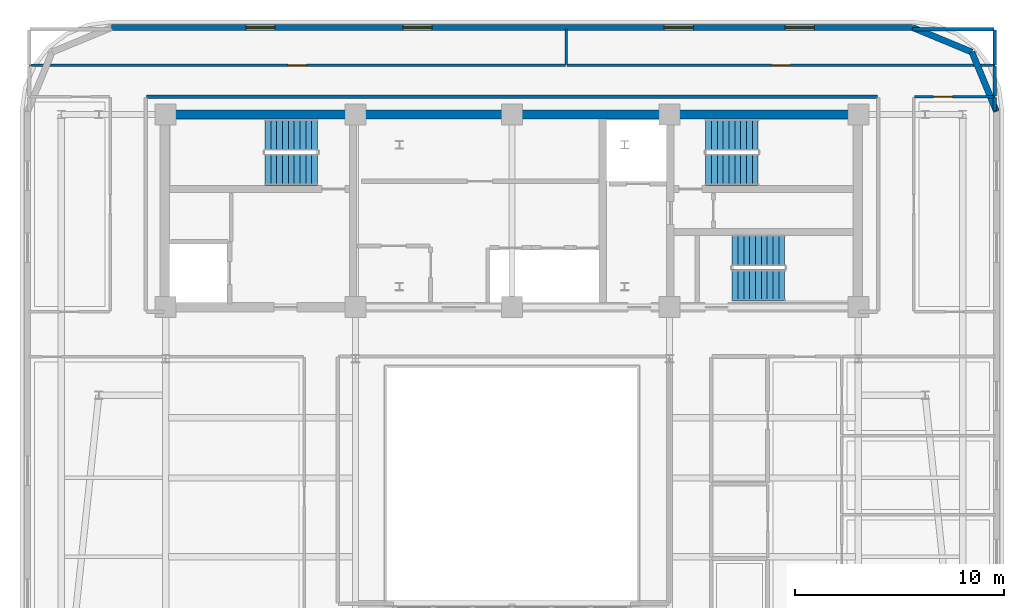
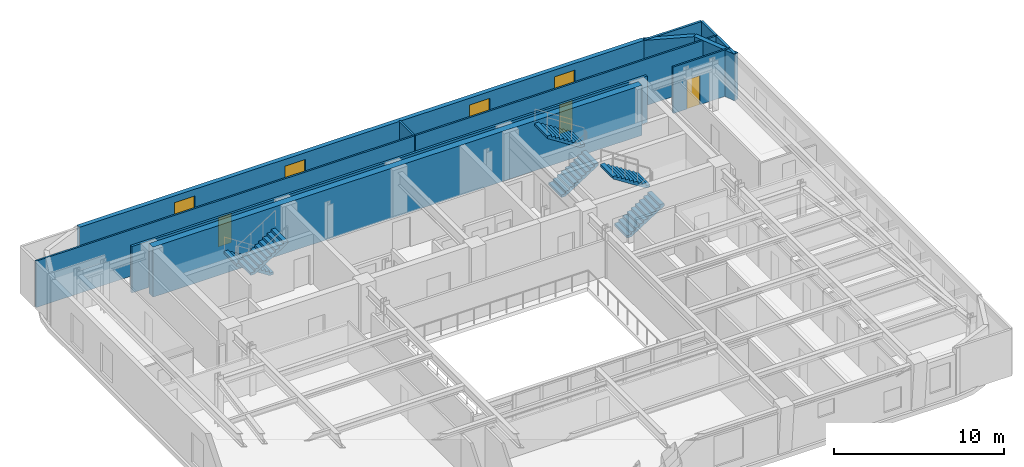
# One storey, part 9 of 13: 13 walls, 6 stair flights, 4 windows, 3 doors, 7 openings, 3 elements without a shape of their own.
"""IFC4 building model written with IfcOpenShell, lengths in metres."""

from ifc_helpers import new_model, si_unit, direction, frame, frame_2d, origin, place, context, subcontext, project, spatial, polyline, rectangle, outline, extrude, material, layer, layer_set, type_object, element, fill, aggregate, save


model = new_model("IFC4")

# Units and contexts
model_context = context("Model", 3, precision=1e-05, world=origin(), true_north=direction((0.0, 1.0)))
body_context = subcontext(model_context, "Body", "Model", "MODEL_VIEW")
ifc_project = project(units=[si_unit("LENGTHUNIT", "METRE"), si_unit("AREAUNIT", "SQUARE_METRE"), si_unit("VOLUMEUNIT", "CUBIC_METRE"), si_unit("PLANEANGLEUNIT", "RADIAN"), si_unit("MASSUNIT", "GRAM", prefix="KILO")], contexts=[model_context])

# Site, building, storey
site_placement = place(None, origin())
site = spatial("IfcSite", under=ifc_project, at=site_placement, CompositionType="ELEMENT")
building_placement = place(site_placement, origin())
building = spatial("IfcBuilding", under=site, at=building_placement, Name="Zarnavel Station Tower", CompositionType="ELEMENT")
storey_placement = place(building_placement, frame((0.0, 0.0, 236.39990234375)))
storey = spatial("IfcBuildingStorey", under=building, at=storey_placement, Name="L64", CompositionType="ELEMENT", Elevation=236.39990234375)

# Walls
ifc_material_1 = material(Name="Concrete C50/60", Category="concrete")
ifc_layer_1 = layer(ifc_material_1, 0.449951171875)
ifc_layer_set_1 = layer_set([ifc_layer_1], Name="CW_450")
wall_type_1 = type_object("IfcWallType", Name="CW_450", PredefinedType="SHEAR", material=ifc_layer_set_1)
wall_1_placement = place(storey_placement, frame((12.14990234375, 37.050048828125, 0.0), z_axis=(0.0, 0.0, 1.0), x_axis=(1.0, 0.0, 0.0)))
element("IfcWall", 1, at=wall_1_placement, inside=storey, type_object=wall_type_1, Name="L64 Rear Core Shear Wall N", PredefinedType="SHEAR", context=body_context, shape_type="SweptSolid", body=[
    extrude(rectangle(XDim=33.22998046875, YDim=0.449951171875, at=frame_2d((16.614990234375, 0.0))), origin(), (0.0, 0.0, 1.0), 3.60009765625),
])
ifc_material_2 = material(Name="Precast concrete C45/55 (Dark Basalt Finish)", Category="masonry")
ifc_layer_2 = layer(ifc_material_2, 0.300048828125)
ifc_layer_set_2 = layer_set([ifc_layer_2], Name="EW_BASALT_300")
wall_type_2 = type_object("IfcWallType", Name="EW_BASALT_300", PredefinedType="SOLIDWALL", material=ifc_layer_set_2)
for number, where, z_axis, x_axis, name in (
    (2, (50.842529296875, 40.04248046875, 0.0), (0.0, 0.0, 1.0), (0.382704529509, -0.923870793506, 0.0), "L64 Exterior Basalt Masonry Frame Wall 04"),
    (3, (48.0, 41.219970703125, 0.0), (0.0, 0.0, 1.0), (0.923870793506, -0.382704529509, 0.0), "L64 Exterior Basalt Masonry Frame Wall 05"),
):
    element("IfcWall", number, at=place(storey_placement, frame(where, z_axis=z_axis, x_axis=x_axis)), inside=storey, type_object=wall_type_2, Name=name, PredefinedType="SOLIDWALL", context=body_context, shape_type="SweptSolid", body=[
        extrude(rectangle(XDim=3.07666015625, YDim=0.300048828125, at=frame_2d((1.538330078125, 0.0))), origin(), (0.0, 0.0, 1.0), 3.340087890625),
    ])

# Wall, openings, windows
wall_2_placement = place(storey_placement, frame((9.60009765625, 41.219970703125, 0.0), z_axis=(0.0, 0.0, 1.0), x_axis=(1.0, 0.0, 0.0)))
wall_2 = element("IfcWall", 4, at=wall_2_placement, inside=storey, type_object=wall_type_2, Name="L64 Exterior Basalt Masonry Frame Wall 06", PredefinedType="SOLIDWALL", context=body_context, shape_type="SweptSolid", body=[
    extrude(rectangle(XDim=38.39990234375, YDim=0.300048828125, at=frame_2d((19.199951171875, 0.0))), origin(), (0.0, 0.0, 1.0), 3.340087890625),
])
opening_1_placement = place(wall_2_placement, frame((6.44677734375, 0.0, 0.75)))
opening_1 = element("IfcOpeningElement", 5, at=opening_1_placement, cuts=wall_2, Name="Opening WN04", PredefinedType="OPENING", context=body_context, shape_type="SweptSolid", body=[
    extrude(rectangle(XDim=1.39990234375, YDim=2.10009765625, at=frame_2d((0.699951171875, 1.050048828125))), frame((0.0, 0.159912109375, 0.0), z_axis=(0.0, -1.0, 0.0), x_axis=(1.0, 0.0, 0.0)), (0.0, 0.0, 1.0), 0.320068359375),
])
opening_2_placement = place(wall_2_placement, frame((13.973388671875, 0.0, 0.75)))
opening_2 = element("IfcOpeningElement", 6, at=opening_2_placement, cuts=wall_2, Name="Opening WN04", PredefinedType="OPENING", context=body_context, shape_type="SweptSolid", body=[
    extrude(rectangle(XDim=1.39990234375, YDim=2.10009765625, at=frame_2d((0.699951171875, 1.050048828125))), frame((0.0, 0.159912109375, 0.0), z_axis=(0.0, -1.0, 0.0), x_axis=(1.0, 0.0, 0.0)), (0.0, 0.0, 1.0), 0.320068359375),
])
opening_3_placement = place(wall_2_placement, frame((26.493408203125, 0.0, 0.75)))
opening_3 = element("IfcOpeningElement", 7, at=opening_3_placement, cuts=wall_2, Name="Opening WN04", PredefinedType="OPENING", context=body_context, shape_type="SweptSolid", body=[
    extrude(rectangle(XDim=1.39990234375, YDim=2.10009765625, at=frame_2d((0.699951171875, 1.050048828125))), frame((0.0, 0.159912109375, 0.0), z_axis=(0.0, -1.0, 0.0), x_axis=(1.0, 0.0, 0.0)), (0.0, 0.0, 1.0), 0.320068359375),
])
opening_4_placement = place(wall_2_placement, frame((32.28662109375, 0.0, 0.75)))
opening_4 = element("IfcOpeningElement", 8, at=opening_4_placement, cuts=wall_2, Name="Opening WN04", PredefinedType="OPENING", context=body_context, shape_type="SweptSolid", body=[
    extrude(rectangle(XDim=1.39990234375, YDim=2.10009765625, at=frame_2d((0.699951171875, 1.050048828125))), frame((0.0, 0.159912109375, 0.0), z_axis=(0.0, -1.0, 0.0), x_axis=(1.0, 0.0, 0.0)), (0.0, 0.0, 1.0), 0.320068359375),
])
ifc_material_3 = material(Name="Thermally Broken Black Aluminium and Low-E Dark Glass", Category="aluminium")
window_type = type_object("IfcWindowType", Name="WN_1400x2100", PartitioningType="DOUBLE_PANEL_VERTICAL", PredefinedType="WINDOW", material=ifc_material_3)
window_1_placement = place(opening_1_placement, origin())
window_1 = element("IfcWindow", 9, at=window_1_placement, inside=storey, type_object=window_type, Name="L64 Recessed Facade Window 01", OverallHeight=2.10009765625, OverallWidth=1.39990234375, PartitioningType="SINGLE_PANEL", PredefinedType="WINDOW", context=body_context, shape_type="SweptSolid", body=[
    extrude(rectangle(XDim=1.39990234375, YDim=2.10009765625, at=frame_2d((0.699951171875, 1.050048828125))), frame((0.0, 0.030029296875, 0.0), z_axis=(0.0, -1.0, 0.0), x_axis=(1.0, 0.0, 0.0)), (0.0, 0.0, 1.0), 0.06005859375),
])
fill(opening_1, window_1)
window_2_placement = place(opening_2_placement, origin())
window_2 = element("IfcWindow", 10, at=window_2_placement, inside=storey, type_object=window_type, Name="L64 Recessed Facade Window 02", OverallHeight=2.10009765625, OverallWidth=1.39990234375, PartitioningType="SINGLE_PANEL", PredefinedType="WINDOW", context=body_context, shape_type="SweptSolid", body=[
    extrude(rectangle(XDim=1.39990234375, YDim=2.10009765625, at=frame_2d((0.699951171875, 1.050048828125))), frame((0.0, 0.030029296875, 0.0), z_axis=(0.0, -1.0, 0.0), x_axis=(1.0, 0.0, 0.0)), (0.0, 0.0, 1.0), 0.06005859375),
])
fill(opening_2, window_2)
window_3_placement = place(opening_3_placement, origin())
window_3 = element("IfcWindow", 11, at=window_3_placement, inside=storey, type_object=window_type, Name="L64 Recessed Facade Window 03", OverallHeight=2.10009765625, OverallWidth=1.39990234375, PartitioningType="SINGLE_PANEL", PredefinedType="WINDOW", context=body_context, shape_type="SweptSolid", body=[
    extrude(rectangle(XDim=1.39990234375, YDim=2.10009765625, at=frame_2d((0.699951171875, 1.050048828125))), frame((0.0, 0.030029296875, 0.0), z_axis=(0.0, -1.0, 0.0), x_axis=(1.0, 0.0, 0.0)), (0.0, 0.0, 1.0), 0.06005859375),
])
fill(opening_3, window_3)
window_4_placement = place(opening_4_placement, origin())
window_4 = element("IfcWindow", 12, at=window_4_placement, inside=storey, type_object=window_type, Name="L64 Recessed Facade Window 04", OverallHeight=2.10009765625, OverallWidth=1.39990234375, PartitioningType="SINGLE_PANEL", PredefinedType="WINDOW", context=body_context, shape_type="SweptSolid", body=[
    extrude(rectangle(XDim=1.39990234375, YDim=2.10009765625, at=frame_2d((0.699951171875, 1.050048828125))), frame((0.0, 0.030029296875, 0.0), z_axis=(0.0, -1.0, 0.0), x_axis=(1.0, 0.0, 0.0)), (0.0, 0.0, 1.0), 0.06005859375),
])
fill(opening_4, window_4)

# Walls
ifc_material_4 = material(Name="Gypsum Twin-Stud Acoustic Fire Partition", Category="concrete")
ifc_layer_3 = layer(ifc_material_4, 0.159912109375)
ifc_layer_set_3 = layer_set([ifc_layer_3], Name="PT_DEMISE_160")
wall_type_3 = type_object("IfcWallType", Name="PT_DEMISE_160", PredefinedType="PARTITIONING", material=ifc_layer_set_3)
wall_3_placement = place(storey_placement, frame((11.280029296875, 37.89990234375, 0.0), z_axis=(0.0, 0.0, 1.0), x_axis=(1.0, 0.0, 0.0)))
element("IfcWall", 13, at=wall_3_placement, inside=storey, type_object=wall_type_3, Name="L64 Enclosure Wall COR-N", PredefinedType="PARTITIONING", context=body_context, shape_type="SweptSolid", body=[
    extrude(rectangle(XDim=35.0400390625, YDim=0.159912109375, at=frame_2d((17.52001953125, 0.0))), origin(), (0.0, 0.0, 1.0), 3.340087890625),
])
wall_4_placement = place(storey_placement, frame((51.93994140625, 37.929931640625, 0.0), z_axis=(0.0, 0.0, 1.0), x_axis=(0.0, 1.0, 0.0)))
element("IfcWall", 14, at=wall_4_placement, inside=storey, type_object=wall_type_3, Name="L64 Enclosure Wall COR-N", PredefinedType="PARTITIONING", context=body_context, shape_type="SweptSolid", body=[
    extrude(rectangle(XDim=1.440185546875, YDim=0.159912109375, at=frame_2d((0.72021484375, 0.0))), origin(), (0.0, 0.0, 1.0), 3.340087890625),
])
wall_5_placement = place(storey_placement, frame((51.93994140625, 37.22998046875, 0.0), z_axis=(0.0, 0.0, 1.0), x_axis=(0.0, 1.0, 0.0)))
element("IfcWall", 15, at=wall_5_placement, inside=storey, type_object=wall_type_3, Name="L64 Enclosure Wall FNE", PredefinedType="PARTITIONING", context=body_context, shape_type="SweptSolid", body=[
    extrude(rectangle(XDim=0.64013671875, YDim=0.159912109375, at=frame_2d((0.320068359375, 0.0))), origin(), (0.0, 0.0, 1.0), 3.340087890625),
])
wall_6_placement = place(storey_placement, frame((48.030029296875, 41.139892578125, 0.0), z_axis=(0.0, 0.0, 1.0), x_axis=(1.0, 0.0, 0.0)))
element("IfcWall", 16, at=wall_6_placement, inside=storey, type_object=wall_type_3, Name="L64 Enclosure Wall NBRD", PredefinedType="PARTITIONING", context=body_context, shape_type="SweptSolid", body=[
    extrude(rectangle(XDim=3.8798828125, YDim=0.159912109375, at=frame_2d((1.93994140625, 0.0))), origin(), (0.0, 0.0, 1.0), 3.340087890625),
])
wall_7_placement = place(storey_placement, frame((51.93994140625, 39.429931640625, 0.0), z_axis=(0.0, 0.0, 1.0), x_axis=(0.0, 1.0, 0.0)))
element("IfcWall", 17, at=wall_7_placement, inside=storey, type_object=wall_type_3, Name="L64 Enclosure Wall NBRD", PredefinedType="PARTITIONING", context=body_context, shape_type="SweptSolid", body=[
    extrude(rectangle(XDim=1.68017578125, YDim=0.159912109375, at=frame_2d((0.840087890625, 0.0))), origin(), (0.0, 0.0, 1.0), 3.340087890625),
])

# Wall, opening, door
ifc_material_5 = material(Name="Gypsum Metal-Stud Interior Partition", Category="concrete")
ifc_layer_4 = layer(ifc_material_5, 0.1201171875)
ifc_layer_set_4 = layer_set([ifc_layer_4], Name="PT_ROOM_120")
wall_type_4 = type_object("IfcWallType", Name="PT_ROOM_120", PredefinedType="PARTITIONING", material=ifc_layer_set_4)
wall_8_placement = place(storey_placement, frame((48.090087890625, 37.89990234375, 0.0), z_axis=(0.0, 0.0, 1.0), x_axis=(1.0, 0.0, 0.0)))
wall_8 = element("IfcWall", 18, at=wall_8_placement, inside=storey, type_object=wall_type_4, Name="L64 Partition COR-N-FNE", PredefinedType="PARTITIONING", context=body_context, shape_type="SweptSolid", body=[
    extrude(rectangle(XDim=3.849853515625, YDim=0.1201171875, at=frame_2d((1.9248046875, 0.0))), origin(), (0.0, 0.0, 1.0), 3.340087890625),
])
opening_5_placement = place(wall_8_placement, frame((0.918701171875, 0.0, 0.0)))
opening_5 = element("IfcOpeningElement", 19, at=opening_5_placement, cuts=wall_8, Name="Opening ID01", PredefinedType="OPENING", context=body_context, shape_type="SweptSolid", body=[
    extrude(rectangle(XDim=0.89990234375, YDim=2.10009765625, at=frame_2d((0.449951171875, 1.050048828125))), frame((0.0, 0.070068359375, 0.0), z_axis=(0.0, -1.0, 0.0), x_axis=(1.0, 0.0, 0.0)), (0.0, 0.0, 1.0), 0.14013671875),
])
ifc_material_6 = material(Name="Painted Galvanised Steel and Hardwood Leaf", Category="steel")
door_type = type_object("IfcDoorType", Name="ID_ROOM_900", OperationType="NOTDEFINED", PredefinedType="DOOR", material=ifc_material_6)
door_1_placement = place(opening_5_placement, origin())
door_1 = element("IfcDoor", 20, at=door_1_placement, inside=storey, type_object=door_type, Name="L64 Door COR-N-FNE", OperationType="SINGLE_SWING_LEFT", OverallHeight=2.10009765625, OverallWidth=0.89990234375, PredefinedType="DOOR", context=body_context, shape_type="SweptSolid", body=[
    extrude(rectangle(XDim=0.89990234375, YDim=2.10009765625, at=frame_2d((0.449951171875, 1.050048828125))), frame((0.0, 0.02490234375, 0.0), z_axis=(0.0, -1.0, 0.0), x_axis=(1.0, 0.0, 0.0)), (0.0, 0.0, 1.0), 0.050048828125),
])
fill(opening_5, door_1)

wall_9_placement = place(storey_placement, frame((5.659912109375, 39.39990234375, 0.0), z_axis=(0.0, 0.0, 1.0), x_axis=(1.0, 0.0, 0.0)))
wall_9 = element("IfcWall", 21, at=wall_9_placement, inside=storey, type_object=wall_type_4, Name="L64 Partition COR-N-NGYM", PredefinedType="PARTITIONING", context=body_context, shape_type="SweptSolid", body=[
    extrude(rectangle(XDim=25.7001953125, YDim=0.1201171875, at=frame_2d((12.85009765625, 0.0))), origin(), (0.0, 0.0, 1.0), 3.340087890625),
])
opening_6_placement = place(wall_9_placement, frame((12.39990234375, 0.0, 0.0)))
opening_6 = element("IfcOpeningElement", 22, at=opening_6_placement, cuts=wall_9, Name="Opening ID01", PredefinedType="OPENING", context=body_context, shape_type="SweptSolid", body=[
    extrude(rectangle(XDim=0.89990234375, YDim=2.10009765625, at=frame_2d((0.449951171875, 1.050048828125))), frame((0.0, 0.070068359375, 0.0), z_axis=(0.0, -1.0, 0.0), x_axis=(1.0, 0.0, 0.0)), (0.0, 0.0, 1.0), 0.14013671875),
])
door_2_placement = place(opening_6_placement, origin())
door_2 = element("IfcDoor", 23, at=door_2_placement, inside=storey, type_object=door_type, Name="L64 Door COR-N-NGYM", OperationType="SINGLE_SWING_RIGHT", OverallHeight=2.10009765625, OverallWidth=0.89990234375, PredefinedType="DOOR", context=body_context, shape_type="SweptSolid", body=[
    extrude(rectangle(XDim=0.89990234375, YDim=2.10009765625, at=frame_2d((0.449951171875, 1.050048828125))), frame((0.0, 0.02490234375, 0.0), z_axis=(0.0, -1.0, 0.0), x_axis=(1.0, 0.0, 0.0)), (0.0, 0.0, 1.0), 0.050048828125),
])
fill(opening_6, door_2)

wall_10_placement = place(storey_placement, frame((31.43994140625, 39.39990234375, 0.0), z_axis=(0.0, 0.0, 1.0), x_axis=(1.0, 0.0, 0.0)))
wall_10 = element("IfcWall", 24, at=wall_10_placement, inside=storey, type_object=wall_type_4, Name="L64 Partition COR-N-NBRD", PredefinedType="PARTITIONING", context=body_context, shape_type="SweptSolid", body=[
    extrude(rectangle(XDim=20.5, YDim=0.1201171875, at=frame_2d((10.25, 0.0))), origin(), (0.0, 0.0, 1.0), 3.340087890625),
])
opening_7_placement = place(wall_10_placement, frame((9.800048828125, 0.0, 0.0)))
opening_7 = element("IfcOpeningElement", 25, at=opening_7_placement, cuts=wall_10, Name="Opening ID01", PredefinedType="OPENING", context=body_context, shape_type="SweptSolid", body=[
    extrude(rectangle(XDim=0.89990234375, YDim=2.10009765625, at=frame_2d((0.449951171875, 1.050048828125))), frame((0.0, 0.070068359375, 0.0), z_axis=(0.0, -1.0, 0.0), x_axis=(1.0, 0.0, 0.0)), (0.0, 0.0, 1.0), 0.14013671875),
])
door_3_placement = place(opening_7_placement, origin())
door_3 = element("IfcDoor", 26, at=door_3_placement, inside=storey, type_object=door_type, Name="L64 Door COR-N-NBRD", OperationType="SINGLE_SWING_LEFT", OverallHeight=2.10009765625, OverallWidth=0.89990234375, PredefinedType="DOOR", context=body_context, shape_type="SweptSolid", body=[
    extrude(rectangle(XDim=0.89990234375, YDim=2.10009765625, at=frame_2d((0.449951171875, 1.050048828125))), frame((0.0, 0.02490234375, 0.0), z_axis=(0.0, -1.0, 0.0), x_axis=(1.0, 0.0, 0.0)), (0.0, 0.0, 1.0), 0.050048828125),
])
fill(opening_7, door_3)

# Wall
wall_11_placement = place(storey_placement, frame((31.39990234375, 39.43994140625, 0.0), z_axis=(0.0, 0.0, 1.0), x_axis=(0.0, 1.0, 0.0)))
element("IfcWall", 27, at=wall_11_placement, inside=storey, type_object=wall_type_4, Name="L64 Partition NGYM-NBRD", PredefinedType="PARTITIONING", context=body_context, shape_type="SweptSolid", body=[
    extrude(rectangle(XDim=1.699951171875, YDim=0.1201171875, at=frame_2d((0.85009765625, 0.0))), origin(), (0.0, 0.0, 1.0), 3.340087890625),
])

# Stair, stair flights
ifc_material_7 = material(Name="Concrete C45/55", Category="concrete")
stair_type = type_object("IfcStairType", Name="ST_CORE_150", PredefinedType="HALF_TURN_STAIR", material=ifc_material_7)
stair_1_placement = place(storey_placement, origin())
stair_1 = element("IfcStair", 28, at=stair_1_placement, inside=storey, type_object=stair_type, Name="L64 Core Exit Stair ST1", PredefinedType="HALF_TURN_STAIR")
ifc_material_8 = material(Name="Concrete C45/55", Category="concrete")
ifc_layer_5 = layer(ifc_material_8, 0.179931640625)
ifc_layer_set_5 = layer_set([ifc_layer_5], Name="ST_CORE_150_FLT")
stair_flight_type = type_object("IfcStairFlightType", Name="ST_CORE_150_FLT", PredefinedType="STRAIGHT", material=ifc_layer_set_5)
stair_flight_1_placement = place(storey_placement, frame((19.47998046875, 36.070068359375, 0.0), z_axis=(0.0, 0.0, 1.0), x_axis=(-1.0, 0.0, 0.0)))
stair_flight_1 = element("IfcStairFlight", 29, at=stair_flight_1_placement, type_object=stair_flight_type, Name="ST1 flight 1", NumberOfRisers=10, NumberOfTreads=9, PredefinedType="STRAIGHT", RiserHeight=0.18, TreadLength=0.28, context=body_context, shape_type="SweptSolid", body=[
    extrude(outline(polyline([(0.0, 0.0), (0.0, 0.179931640625), (0.280029296875, 0.179931640625), (0.280029296875, 0.360107421875), (0.56005859375, 0.360107421875), (0.56005859375, 0.5400390625), (0.840087890625, 0.5400390625), (0.840087890625, 0.719970703125), (1.1201171875, 0.719970703125), (1.1201171875, 0.89990234375), (1.39990234375, 0.89990234375), (1.39990234375, 1.080078125), (1.679931640625, 1.080078125), (1.679931640625, 1.260009765625), (1.9599609375, 1.260009765625), (1.9599609375, 1.43994140625), (2.239990234375, 1.43994140625), (2.239990234375, 1.6201171875), (2.52001953125, 1.6201171875), (2.52001953125, 1.800048828125), (2.52001953125, 1.44189453125), (0.277099609375, 0.0), (0.0, 0.0)])), frame((0.0, 0.75, 0.0), z_axis=(0.0, -1.0, 0.0), x_axis=(1.0, 0.0, 0.0)), (0.0, 0.0, 1.0), 1.5),
])
stair_flight_2_placement = place(storey_placement, frame((16.9599609375, 34.409912109375, 1.800048828125), z_axis=(0.0, 0.0, 1.0), x_axis=(1.0, 0.0, 0.0)))
stair_flight_2 = element("IfcStairFlight", 30, at=stair_flight_2_placement, type_object=stair_flight_type, Name="ST1 flight 2", NumberOfRisers=10, NumberOfTreads=9, PredefinedType="STRAIGHT", RiserHeight=0.18, TreadLength=0.28, context=body_context, shape_type="SweptSolid", body=[
    extrude(outline(polyline([(0.0, 0.0), (0.0, 0.179931640625), (0.280029296875, 0.179931640625), (0.280029296875, 0.360107421875), (0.56005859375, 0.360107421875), (0.56005859375, 0.5400390625), (0.840087890625, 0.5400390625), (0.840087890625, 0.719970703125), (1.1201171875, 0.719970703125), (1.1201171875, 0.89990234375), (1.39990234375, 0.89990234375), (1.39990234375, 1.080078125), (1.679931640625, 1.080078125), (1.679931640625, 1.260009765625), (1.9599609375, 1.260009765625), (1.9599609375, 1.43994140625), (2.239990234375, 1.43994140625), (2.239990234375, 1.6201171875), (2.52001953125, 1.6201171875), (2.52001953125, 1.800048828125), (2.52001953125, 1.44189453125), (0.277099609375, 0.0), (0.0, 0.0)])), frame((0.0, 0.75, 0.0), z_axis=(0.0, -1.0, 0.0), x_axis=(1.0, 0.0, 0.0)), (0.0, 0.0, 1.0), 1.5),
])
aggregate(stair_1, [stair_flight_1, stair_flight_2])

stair_2_placement = place(storey_placement, origin())
stair_2 = element("IfcStair", 31, at=stair_2_placement, inside=storey, type_object=stair_type, Name="L64 Core Exit Stair ST2", PredefinedType="HALF_TURN_STAIR")
stair_flight_3_placement = place(storey_placement, frame((38.080078125, 34.409912109375, 0.0), z_axis=(0.0, 0.0, 1.0), x_axis=(1.0, 0.0, 0.0)))
stair_flight_3 = element("IfcStairFlight", 32, at=stair_flight_3_placement, type_object=stair_flight_type, Name="ST2 flight 1", NumberOfRisers=10, NumberOfTreads=9, PredefinedType="STRAIGHT", RiserHeight=0.18, TreadLength=0.28, context=body_context, shape_type="SweptSolid", body=[
    extrude(outline(polyline([(0.0, 0.0), (0.0, 0.179931640625), (0.280029296875, 0.179931640625), (0.280029296875, 0.360107421875), (0.56005859375, 0.360107421875), (0.56005859375, 0.5400390625), (0.840087890625, 0.5400390625), (0.840087890625, 0.719970703125), (1.1201171875, 0.719970703125), (1.1201171875, 0.89990234375), (1.39990234375, 0.89990234375), (1.39990234375, 1.080078125), (1.679931640625, 1.080078125), (1.679931640625, 1.260009765625), (1.9599609375, 1.260009765625), (1.9599609375, 1.43994140625), (2.239990234375, 1.43994140625), (2.239990234375, 1.6201171875), (2.52001953125, 1.6201171875), (2.52001953125, 1.800048828125), (2.52001953125, 1.44189453125), (0.277099609375, 0.0), (0.0, 0.0)])), frame((0.0, 0.75, 0.0), z_axis=(0.0, -1.0, 0.0), x_axis=(1.0, 0.0, 0.0)), (0.0, 0.0, 1.0), 1.5),
])
stair_flight_4_placement = place(storey_placement, frame((40.60009765625, 36.070068359375, 1.800048828125), z_axis=(0.0, 0.0, 1.0), x_axis=(-1.0, 0.0, 0.0)))
stair_flight_4 = element("IfcStairFlight", 33, at=stair_flight_4_placement, type_object=stair_flight_type, Name="ST2 flight 2", NumberOfRisers=10, NumberOfTreads=9, PredefinedType="STRAIGHT", RiserHeight=0.18, TreadLength=0.28, context=body_context, shape_type="SweptSolid", body=[
    extrude(outline(polyline([(0.0, 0.0), (0.0, 0.179931640625), (0.280029296875, 0.179931640625), (0.280029296875, 0.360107421875), (0.56005859375, 0.360107421875), (0.56005859375, 0.5400390625), (0.840087890625, 0.5400390625), (0.840087890625, 0.719970703125), (1.1201171875, 0.719970703125), (1.1201171875, 0.89990234375), (1.39990234375, 0.89990234375), (1.39990234375, 1.080078125), (1.679931640625, 1.080078125), (1.679931640625, 1.260009765625), (1.9599609375, 1.260009765625), (1.9599609375, 1.43994140625), (2.239990234375, 1.43994140625), (2.239990234375, 1.6201171875), (2.52001953125, 1.6201171875), (2.52001953125, 1.800048828125), (2.52001953125, 1.44189453125), (0.277099609375, 0.0), (0.0, 0.0)])), frame((0.0, 0.75, 0.0), z_axis=(0.0, -1.0, 0.0), x_axis=(1.0, 0.0, 0.0)), (0.0, 0.0, 1.0), 1.5),
])
aggregate(stair_2, [stair_flight_3, stair_flight_4])

stair_3_placement = place(storey_placement, origin())
stair_3 = element("IfcStair", 34, at=stair_3_placement, inside=storey, type_object=stair_type, Name="L64 Core Exit Stair ST3", PredefinedType="HALF_TURN_STAIR")
stair_flight_5_placement = place(storey_placement, frame((39.35009765625, 28.8701171875, 0.0), z_axis=(0.0, 0.0, 1.0), x_axis=(1.0, 0.0, 0.0)))
stair_flight_5 = element("IfcStairFlight", 35, at=stair_flight_5_placement, type_object=stair_flight_type, Name="ST3 flight 1", NumberOfRisers=10, NumberOfTreads=9, PredefinedType="STRAIGHT", RiserHeight=0.18, TreadLength=0.28, context=body_context, shape_type="SweptSolid", body=[
    extrude(outline(polyline([(0.0, 0.0), (0.0, 0.179931640625), (0.280029296875, 0.179931640625), (0.280029296875, 0.360107421875), (0.56005859375, 0.360107421875), (0.56005859375, 0.5400390625), (0.840087890625, 0.5400390625), (0.840087890625, 0.719970703125), (1.1201171875, 0.719970703125), (1.1201171875, 0.89990234375), (1.39990234375, 0.89990234375), (1.39990234375, 1.080078125), (1.679931640625, 1.080078125), (1.679931640625, 1.260009765625), (1.9599609375, 1.260009765625), (1.9599609375, 1.43994140625), (2.239990234375, 1.43994140625), (2.239990234375, 1.6201171875), (2.52001953125, 1.6201171875), (2.52001953125, 1.800048828125), (2.52001953125, 1.44189453125), (0.277099609375, 0.0), (0.0, 0.0)])), frame((0.0, 0.75, 0.0), z_axis=(0.0, -1.0, 0.0), x_axis=(1.0, 0.0, 0.0)), (0.0, 0.0, 1.0), 1.5),
])
stair_flight_6_placement = place(storey_placement, frame((41.8701171875, 30.530029296875, 1.800048828125), z_axis=(0.0, 0.0, 1.0), x_axis=(-1.0, 0.0, 0.0)))
stair_flight_6 = element("IfcStairFlight", 36, at=stair_flight_6_placement, type_object=stair_flight_type, Name="ST3 flight 2", NumberOfRisers=10, NumberOfTreads=9, PredefinedType="STRAIGHT", RiserHeight=0.18, TreadLength=0.28, context=body_context, shape_type="SweptSolid", body=[
    extrude(outline(polyline([(0.0, 0.0), (0.0, 0.179931640625), (0.280029296875, 0.179931640625), (0.280029296875, 0.360107421875), (0.56005859375, 0.360107421875), (0.56005859375, 0.5400390625), (0.840087890625, 0.5400390625), (0.840087890625, 0.719970703125), (1.1201171875, 0.719970703125), (1.1201171875, 0.89990234375), (1.39990234375, 0.89990234375), (1.39990234375, 1.080078125), (1.679931640625, 1.080078125), (1.679931640625, 1.260009765625), (1.9599609375, 1.260009765625), (1.9599609375, 1.43994140625), (2.239990234375, 1.43994140625), (2.239990234375, 1.6201171875), (2.52001953125, 1.6201171875), (2.52001953125, 1.800048828125), (2.52001953125, 1.44189453125), (0.277099609375, 0.0), (0.0, 0.0)])), frame((0.0, 0.75, 0.0), z_axis=(0.0, -1.0, 0.0), x_axis=(1.0, 0.0, 0.0)), (0.0, 0.0, 1.0), 1.5),
])
aggregate(stair_3, [stair_flight_5, stair_flight_6])

save(model, "model.ifc")
